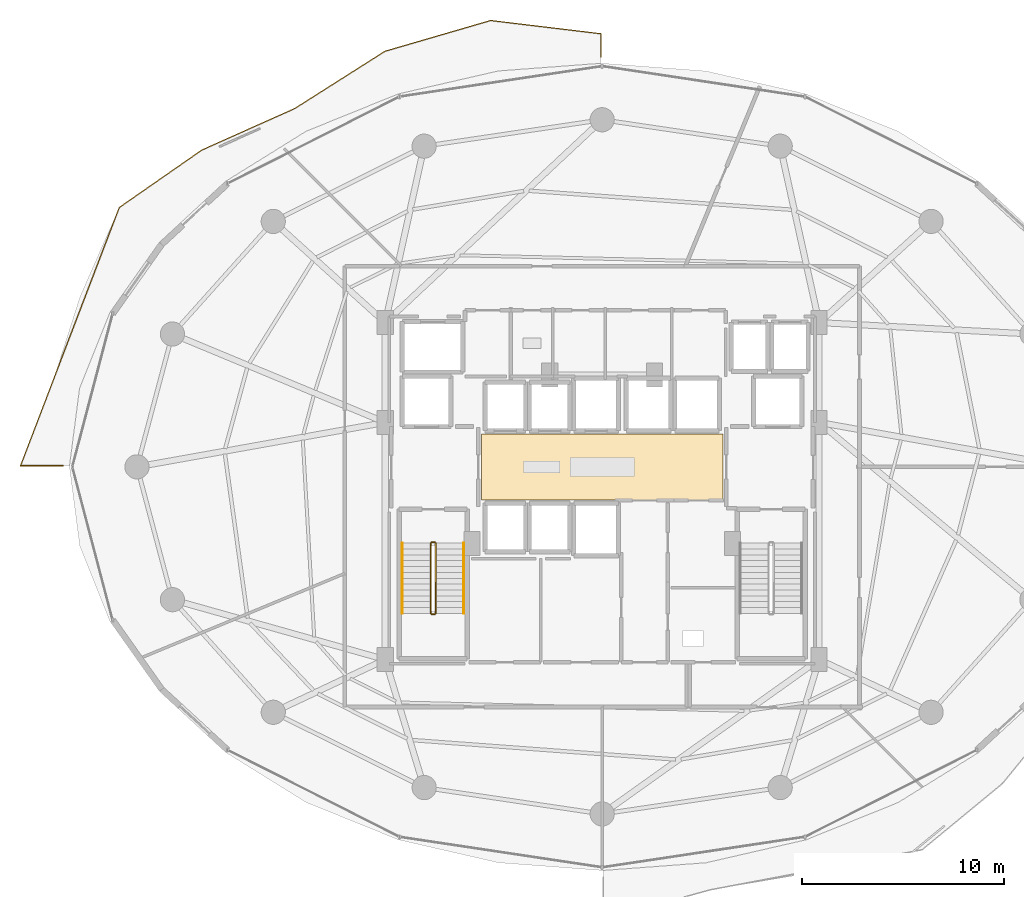
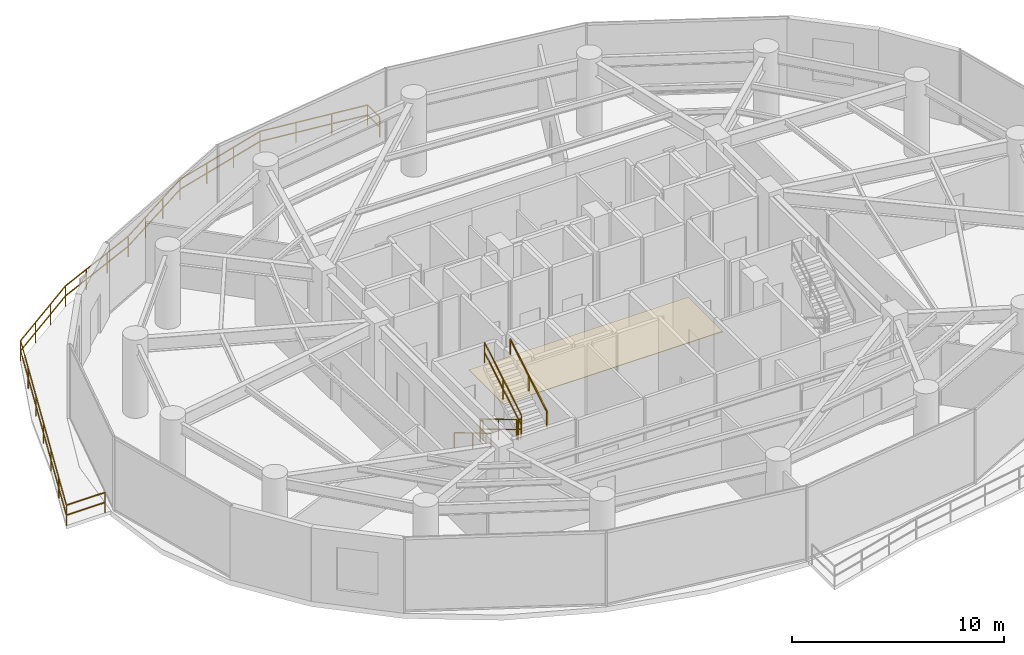
# One storey, part 24 of 27: 8 railings, 1 covering.
"""IFC4 building model written with IfcOpenShell, lengths in metres."""

from ifc_helpers import new_model, si_unit, direction, frame, origin, origin_2d, place, context, subcontext, project, spatial, polyline, rectangle, outline, extrude, material, layer, layer_set, type_object, element, save


model = new_model("IFC4")

# Units and contexts
model_context = context("Model", 3, precision=1e-05, world=origin(), true_north=direction((0.0, 1.0)))
body_context = subcontext(model_context, "Body", "Model", "MODEL_VIEW")
ifc_project = project(units=[si_unit("LENGTHUNIT", "METRE"), si_unit("AREAUNIT", "SQUARE_METRE"), si_unit("VOLUMEUNIT", "CUBIC_METRE"), si_unit("PLANEANGLEUNIT", "RADIAN"), si_unit("MASSUNIT", "GRAM", prefix="KILO")], contexts=[model_context])

# Site, building, storey
site_placement = place(None, origin())
site = spatial("IfcSite", under=ifc_project, at=site_placement, CompositionType="ELEMENT")
building_placement = place(site_placement, origin())
building = spatial("IfcBuilding", under=site, at=building_placement, Name="Vorneva Point Tower", CompositionType="ELEMENT")
storey_placement = place(building_placement, frame((0.0, 0.0, 74.300048828125)))
storey = spatial("IfcBuildingStorey", under=building, at=storey_placement, Name="L19", CompositionType="ELEMENT", Elevation=74.300048828125)

# Covering
ifc_material_1 = material(Name="Polished Ural granite terrazzo", Category="masonry")
ifc_layer = layer(ifc_material_1, 0.02490234375)
ifc_layer_set = layer_set([ifc_layer], Name="Polished Ural granite terrazzo")
covering_type = type_object("IfcCoveringType", Name="COV-FLR-TRZ", PredefinedType="FLOORING", material=ifc_layer_set)
covering_placement = place(storey_placement, frame((0.0, 0.0, -0.005126953125)))
element("IfcCovering", 1, at=covering_placement, inside=storey, type_object=covering_type, Name="L19 Lift Lobby Floor Finish", PredefinedType="FLOORING", context=body_context, shape_type="SweptSolid", body=[
    extrude(outline(polyline([(32.02001953125, 24.3701171875), (43.97998046875, 24.3701171875), (43.97998046875, 27.6298828125), (32.02001953125, 27.6298828125), (32.02001953125, 24.3701171875)])), origin(), (0.0, 0.0, 1.0), 0.030029296875),
])

# Railings
ifc_material_2 = material(Name="Pale anodised aluminium", Category="aluminium")
railing_type_1 = type_object("IfcRailingType", Name="RL-BAL-1200", PredefinedType="BALUSTRADE", material=ifc_material_2)
railing_1_placement = place(storey_placement, frame((9.17431640625, 26.050048828125, 0.0)))
element("IfcRailing", 2, at=railing_1_placement, inside=storey, type_object=railing_type_1, Name="L19 Wave Balcony Balustrade NW.1", PredefinedType="BALUSTRADE", context=body_context, shape_type="SweptSolid", body=[
    extrude(rectangle(XDim=0.048095703125, YDim=0.048095703125, at=origin_2d()), frame((0.0, 0.0, 1.17578125), z_axis=(1.0, 0.0, 0.0), x_axis=(0.0, 1.0, 0.0)), (0.0, 0.0, 1.0), 2.109375),
    extrude(rectangle(XDim=0.048095703125, YDim=0.048095703125, at=origin_2d()), frame((0.0, 0.0, 0.60009765625), z_axis=(1.0, 0.0, 0.0), x_axis=(0.0, 1.0, 0.0)), (0.0, 0.0, 1.0), 2.109375),
    extrude(rectangle(XDim=0.0419921875, YDim=0.0419921875, at=origin_2d()), origin(), (0.0, 0.0, 1.0), 1.15185546875),
    extrude(rectangle(XDim=0.0419921875, YDim=0.0419921875, at=origin_2d()), frame((2.109375, 0.0, 0.0)), (0.0, 0.0, 1.0), 1.15185546875),
])
railing_2_placement = place(storey_placement, frame((37.949951171875, 46.317138671875, 0.0)))
element("IfcRailing", 3, at=railing_2_placement, inside=storey, type_object=railing_type_1, Name="L19 Wave Balcony Balustrade NW.2", PredefinedType="BALUSTRADE", context=body_context, shape_type="SweptSolid", body=[
    extrude(rectangle(XDim=0.048095703125, YDim=0.048095703125, at=origin_2d()), frame((0.0, 0.0, 1.17578125), z_axis=(0.0, 1.0, 0.0), x_axis=(-1.0, 0.0, 0.0)), (0.0, 0.0, 1.0), 1.143798828125),
    extrude(rectangle(XDim=0.048095703125, YDim=0.048095703125, at=origin_2d()), frame((0.0, 0.0, 0.60009765625), z_axis=(0.0, 1.0, 0.0), x_axis=(-1.0, 0.0, 0.0)), (0.0, 0.0, 1.0), 1.143798828125),
    extrude(rectangle(XDim=0.048095703125, YDim=0.048095703125, at=origin_2d()), frame((0.0, 1.143798828125, 1.17578125), z_axis=(-0.992852318004, 0.119349380534, 0.0), x_axis=(-0.119349380534, -0.992852318004, 0.0)), (0.0, 0.0, 1.0), 5.51708984375),
    extrude(rectangle(XDim=0.048095703125, YDim=0.048095703125, at=origin_2d()), frame((0.0, 1.143798828125, 0.60009765625), z_axis=(-0.992852318004, 0.119349380534, 0.0), x_axis=(-0.119349380534, -0.992852318004, 0.0)), (0.0, 0.0, 1.0), 5.51708984375),
    extrude(rectangle(XDim=0.048095703125, YDim=0.048095703125, at=origin_2d()), frame((-5.4775390625, 1.80224609375, 1.17578125), z_axis=(-0.960122174174, -0.279580776627, 0.0), x_axis=(0.279580776627, -0.960122174174, 0.0)), (0.0, 0.0, 1.0), 5.456787109375),
    extrude(rectangle(XDim=0.048095703125, YDim=0.048095703125, at=origin_2d()), frame((-5.4775390625, 1.80224609375, 0.60009765625), z_axis=(-0.960122174174, -0.279580776627, 0.0), x_axis=(0.279580776627, -0.960122174174, 0.0)), (0.0, 0.0, 1.0), 5.456787109375),
    extrude(rectangle(XDim=0.048095703125, YDim=0.048095703125, at=origin_2d()), frame((-10.716796875, 0.276611328125, 1.17578125), z_axis=(-0.844344261875, -0.535801052107, 0.0), x_axis=(0.535801052107, -0.844344261875, 0.0)), (0.0, 0.0, 1.0), 5.295166015625),
    extrude(rectangle(XDim=0.048095703125, YDim=0.048095703125, at=origin_2d()), frame((-10.716796875, 0.276611328125, 0.60009765625), z_axis=(-0.844344261875, -0.535801052107, 0.0), x_axis=(0.535801052107, -0.844344261875, 0.0)), (0.0, 0.0, 1.0), 5.295166015625),
    extrude(rectangle(XDim=0.048095703125, YDim=0.048095703125, at=origin_2d()), frame((-15.187744140625, -2.560546875, 1.17578125), z_axis=(-0.912903646088, -0.408175125355, 0.0), x_axis=(0.408175125355, -0.912903646088, 0.0)), (0.0, 0.0, 1.0), 5.046875),
    extrude(rectangle(XDim=0.048095703125, YDim=0.048095703125, at=origin_2d()), frame((-15.187744140625, -2.560546875, 0.60009765625), z_axis=(-0.912903646088, -0.408175125355, 0.0), x_axis=(0.408175125355, -0.912903646088, 0.0)), (0.0, 0.0, 1.0), 5.046875),
    extrude(rectangle(XDim=0.048095703125, YDim=0.048095703125, at=origin_2d()), frame((-19.795166015625, -4.62060546875, 1.17578125), z_axis=(-0.820822157704, -0.571183845554, 0.0), x_axis=(0.571183845554, -0.820822157704, 0.0)), (0.0, 0.0, 1.0), 4.973876953125),
    extrude(rectangle(XDim=0.048095703125, YDim=0.048095703125, at=origin_2d()), frame((-19.795166015625, -4.62060546875, 0.60009765625), z_axis=(-0.820822157704, -0.571183845554, 0.0), x_axis=(0.571183845554, -0.820822157704, 0.0)), (0.0, 0.0, 1.0), 4.973876953125),
    extrude(rectangle(XDim=0.048095703125, YDim=0.048095703125, at=origin_2d()), frame((-23.8779296875, -7.461669921875, 1.17578125), z_axis=(-0.357233879575, -0.934014965235, 0.0), x_axis=(0.934014965235, -0.357233879575, 0.0)), (0.0, 0.0, 1.0), 13.7099609375),
    extrude(rectangle(XDim=0.048095703125, YDim=0.048095703125, at=origin_2d()), frame((-23.8779296875, -7.461669921875, 0.60009765625), z_axis=(-0.357233879575, -0.934014965235, 0.0), x_axis=(0.934014965235, -0.357233879575, 0.0)), (0.0, 0.0, 1.0), 13.7099609375),
    extrude(rectangle(XDim=0.0419921875, YDim=0.0419921875, at=origin_2d()), origin(), (0.0, 0.0, 1.0), 1.15185546875),
    extrude(rectangle(XDim=0.0419921875, YDim=0.0419921875, at=origin_2d()), frame((0.0, 1.143798828125, 0.0)), (0.0, 0.0, 1.0), 1.15185546875),
    extrude(rectangle(XDim=0.0419921875, YDim=0.0419921875, at=origin_2d()), frame((-1.825927734375, 1.36328125, 0.0)), (0.0, 0.0, 1.0), 1.15185546875),
    extrude(rectangle(XDim=0.0419921875, YDim=0.0419921875, at=origin_2d()), frame((-3.651611328125, 1.582763671875, 0.0)), (0.0, 0.0, 1.0), 1.15185546875),
    extrude(rectangle(XDim=0.0419921875, YDim=0.0419921875, at=origin_2d()), frame((-5.4775390625, 1.80224609375, 0.0)), (0.0, 0.0, 1.0), 1.15185546875),
    extrude(rectangle(XDim=0.0419921875, YDim=0.0419921875, at=origin_2d()), frame((-7.223876953125, 1.293701171875, 0.0)), (0.0, 0.0, 1.0), 1.15185546875),
    extrude(rectangle(XDim=0.0419921875, YDim=0.0419921875, at=origin_2d()), frame((-8.970458984375, 0.78515625, 0.0)), (0.0, 0.0, 1.0), 1.15185546875),
    extrude(rectangle(XDim=0.0419921875, YDim=0.0419921875, at=origin_2d()), frame((-10.716796875, 0.276611328125, 0.0)), (0.0, 0.0, 1.0), 1.15185546875),
    extrude(rectangle(XDim=0.0419921875, YDim=0.0419921875, at=origin_2d()), frame((-12.20703125, -0.669189453125, 0.0)), (0.0, 0.0, 1.0), 1.15185546875),
    extrude(rectangle(XDim=0.0419921875, YDim=0.0419921875, at=origin_2d()), frame((-13.697509765625, -1.61474609375, 0.0)), (0.0, 0.0, 1.0), 1.15185546875),
    extrude(rectangle(XDim=0.0419921875, YDim=0.0419921875, at=origin_2d()), frame((-15.187744140625, -2.560546875, 0.0)), (0.0, 0.0, 1.0), 1.15185546875),
    extrude(rectangle(XDim=0.0419921875, YDim=0.0419921875, at=origin_2d()), frame((-16.7236328125, -3.247314453125, 0.0)), (0.0, 0.0, 1.0), 1.15185546875),
    extrude(rectangle(XDim=0.0419921875, YDim=0.0419921875, at=origin_2d()), frame((-18.25927734375, -3.933837890625, 0.0)), (0.0, 0.0, 1.0), 1.15185546875),
    extrude(rectangle(XDim=0.0419921875, YDim=0.0419921875, at=origin_2d()), frame((-19.795166015625, -4.62060546875, 0.0)), (0.0, 0.0, 1.0), 1.15185546875),
    extrude(rectangle(XDim=0.0419921875, YDim=0.0419921875, at=origin_2d()), frame((-21.156005859375, -5.567626953125, 0.0)), (0.0, 0.0, 1.0), 1.15185546875),
    extrude(rectangle(XDim=0.0419921875, YDim=0.0419921875, at=origin_2d()), frame((-22.51708984375, -6.5146484375, 0.0)), (0.0, 0.0, 1.0), 1.15185546875),
    extrude(rectangle(XDim=0.0419921875, YDim=0.0419921875, at=origin_2d()), frame((-23.8779296875, -7.461669921875, 0.0)), (0.0, 0.0, 1.0), 1.15185546875),
    extrude(rectangle(XDim=0.0419921875, YDim=0.0419921875, at=origin_2d()), frame((-24.6943359375, -9.595947265625, 0.0)), (0.0, 0.0, 1.0), 1.15185546875),
    extrude(rectangle(XDim=0.0419921875, YDim=0.0419921875, at=origin_2d()), frame((-25.510498046875, -11.730224609375, 0.0)), (0.0, 0.0, 1.0), 1.15185546875),
    extrude(rectangle(XDim=0.0419921875, YDim=0.0419921875, at=origin_2d()), frame((-26.32666015625, -13.8642578125, 0.0)), (0.0, 0.0, 1.0), 1.15185546875),
    extrude(rectangle(XDim=0.0419921875, YDim=0.0419921875, at=origin_2d()), frame((-27.14306640625, -15.99853515625, 0.0)), (0.0, 0.0, 1.0), 1.15185546875),
    extrude(rectangle(XDim=0.0419921875, YDim=0.0419921875, at=origin_2d()), frame((-27.95947265625, -18.1328125, 0.0)), (0.0, 0.0, 1.0), 1.15185546875),
    extrude(rectangle(XDim=0.0419921875, YDim=0.0419921875, at=origin_2d()), frame((-28.775634765625, -20.26708984375, 0.0)), (0.0, 0.0, 1.0), 1.15185546875),
])
ifc_material_3 = material(Name="Brushed stainless steel S304", Category="steel")
railing_type_2 = type_object("IfcRailingType", Name="RL-HND-920", PredefinedType="HANDRAIL", material=ifc_material_3)
railing_3_placement = place(storey_placement, frame((28.10009765625, 22.219970703125, 0.173095703125)))
element("IfcRailing", 4, at=railing_3_placement, inside=storey, type_object=railing_type_2, Name="L19 ST1 stair handrail 1", PredefinedType="HANDRAIL", context=body_context, shape_type="SweptSolid", body=[
    extrude(rectangle(XDim=0.048095703125, YDim=0.048095703125, at=origin_2d()), frame((0.0, 0.0, 0.8759765625), z_axis=(0.0, -0.858697190188, 0.512483302717), x_axis=(1.0, 0.0, 0.0)), (0.0, 0.0, 1.0), 4.052734375),
    extrude(rectangle(XDim=0.0419921875, YDim=0.0419921875, at=origin_2d()), origin(), (0.0, 0.0, 1.0), 0.851806640625),
    extrude(rectangle(XDim=0.0419921875, YDim=0.0419921875, at=origin_2d()), frame((0.0, -1.739990234375, 1.03857421875)), (0.0, 0.0, 1.0), 0.851806640625),
    extrude(rectangle(XDim=0.0419921875, YDim=0.0419921875, at=origin_2d()), frame((0.0, -3.47998046875, 2.076904296875)), (0.0, 0.0, 1.0), 0.851806640625),
])
railing_4_placement = place(storey_placement, frame((31.14990234375, 18.739990234375, 2.423095703125)))
element("IfcRailing", 5, at=railing_4_placement, inside=storey, type_object=railing_type_2, Name="L19 ST1 stair handrail 2", PredefinedType="HANDRAIL", context=body_context, shape_type="SweptSolid", body=[
    extrude(rectangle(XDim=0.048095703125, YDim=0.048095703125, at=origin_2d()), frame((0.0, 0.0, 0.8759765625), z_axis=(0.0, 0.858697190188, 0.512483302717), x_axis=(-1.0, 0.0, 0.0)), (0.0, 0.0, 1.0), 4.052734375),
    extrude(rectangle(XDim=0.0419921875, YDim=0.0419921875, at=origin_2d()), origin(), (0.0, 0.0, 1.0), 0.851806640625),
    extrude(rectangle(XDim=0.0419921875, YDim=0.0419921875, at=origin_2d()), frame((0.0, 1.739990234375, 1.03857421875)), (0.0, 0.0, 1.0), 0.851806640625),
    extrude(rectangle(XDim=0.0419921875, YDim=0.0419921875, at=origin_2d()), frame((0.0, 3.47998046875, 2.076904296875)), (0.0, 0.0, 1.0), 0.851806640625),
])
railing_type_3 = type_object("IfcRailingType", Name="RL-STG-1100", PredefinedType="GUARDRAIL", material=ifc_material_3)
railing_5_placement = place(storey_placement, frame((29.5, 22.219970703125, 0.173095703125)))
element("IfcRailing", 6, at=railing_5_placement, inside=storey, type_object=railing_type_3, Name="L19 ST1 stair guard 1", PredefinedType="GUARDRAIL", context=body_context, shape_type="SweptSolid", body=[
    extrude(rectangle(XDim=0.048095703125, YDim=0.048095703125, at=origin_2d()), frame((0.0, 0.0, 1.17578125), z_axis=(0.0, -0.858697190188, 0.512483302717), x_axis=(1.0, 0.0, 0.0)), (0.0, 0.0, 1.0), 4.052734375),
    extrude(rectangle(XDim=0.048095703125, YDim=0.048095703125, at=origin_2d()), frame((0.0, 0.0, 0.60009765625), z_axis=(0.0, -0.858697190188, 0.512483302717), x_axis=(1.0, 0.0, 0.0)), (0.0, 0.0, 1.0), 4.052734375),
    extrude(rectangle(XDim=0.0419921875, YDim=0.0419921875, at=origin_2d()), origin(), (0.0, 0.0, 1.0), 1.15185546875),
    extrude(rectangle(XDim=0.0419921875, YDim=0.0419921875, at=origin_2d()), frame((0.0, -1.739990234375, 1.03857421875)), (0.0, 0.0, 1.0), 1.15185546875),
    extrude(rectangle(XDim=0.0419921875, YDim=0.0419921875, at=origin_2d()), frame((0.0, -3.47998046875, 2.076904296875)), (0.0, 0.0, 1.0), 1.15185546875),
])
railing_6_placement = place(storey_placement, frame((29.550048828125, 18.68994140625, 2.25)))
element("IfcRailing", 7, at=railing_6_placement, inside=storey, type_object=railing_type_3, Name="L19 ST1 stair guard 2", PredefinedType="GUARDRAIL", context=body_context, shape_type="SweptSolid", body=[
    extrude(rectangle(XDim=0.048095703125, YDim=0.048095703125, at=origin_2d()), frame((0.0, 0.0, 1.17578125), z_axis=(1.0, 0.0, 0.0), x_axis=(0.0, 1.0, 0.0)), (0.0, 0.0, 1.0), 0.14990234375),
    extrude(rectangle(XDim=0.048095703125, YDim=0.048095703125, at=origin_2d()), frame((0.0, 0.0, 0.60009765625), z_axis=(1.0, 0.0, 0.0), x_axis=(0.0, 1.0, 0.0)), (0.0, 0.0, 1.0), 0.14990234375),
    extrude(rectangle(XDim=0.0419921875, YDim=0.0419921875, at=origin_2d()), origin(), (0.0, 0.0, 1.0), 1.15185546875),
    extrude(rectangle(XDim=0.0419921875, YDim=0.0419921875, at=origin_2d()), frame((0.14990234375, 0.0, 0.0)), (0.0, 0.0, 1.0), 1.15185546875),
])
railing_7_placement = place(storey_placement, frame((29.75, 18.739990234375, 2.423095703125)))
element("IfcRailing", 8, at=railing_7_placement, inside=storey, type_object=railing_type_3, Name="L19 ST1 stair guard 3", PredefinedType="GUARDRAIL", context=body_context, shape_type="SweptSolid", body=[
    extrude(rectangle(XDim=0.048095703125, YDim=0.048095703125, at=origin_2d()), frame((0.0, 0.0, 1.17578125), z_axis=(0.0, 0.858697190188, 0.512483302717), x_axis=(-1.0, 0.0, 0.0)), (0.0, 0.0, 1.0), 4.052734375),
    extrude(rectangle(XDim=0.048095703125, YDim=0.048095703125, at=origin_2d()), frame((0.0, 0.0, 0.60009765625), z_axis=(0.0, 0.858697190188, 0.512483302717), x_axis=(-1.0, 0.0, 0.0)), (0.0, 0.0, 1.0), 4.052734375),
    extrude(rectangle(XDim=0.0419921875, YDim=0.0419921875, at=origin_2d()), origin(), (0.0, 0.0, 1.0), 1.15185546875),
    extrude(rectangle(XDim=0.0419921875, YDim=0.0419921875, at=origin_2d()), frame((0.0, 1.739990234375, 1.03857421875)), (0.0, 0.0, 1.0), 1.15185546875),
    extrude(rectangle(XDim=0.0419921875, YDim=0.0419921875, at=origin_2d()), frame((0.0, 3.47998046875, 2.076904296875)), (0.0, 0.0, 1.0), 1.15185546875),
])
railing_8_placement = place(storey_placement, frame((29.550048828125, 22.27001953125, 0.0)))
element("IfcRailing", 9, at=railing_8_placement, inside=storey, type_object=railing_type_3, Name="L19 ST1 stair guard 4", PredefinedType="GUARDRAIL", context=body_context, shape_type="SweptSolid", body=[
    extrude(rectangle(XDim=0.048095703125, YDim=0.048095703125, at=origin_2d()), frame((0.0, 0.0, 1.17578125), z_axis=(1.0, 0.0, 0.0), x_axis=(0.0, 1.0, 0.0)), (0.0, 0.0, 1.0), 0.14990234375),
    extrude(rectangle(XDim=0.048095703125, YDim=0.048095703125, at=origin_2d()), frame((0.0, 0.0, 0.60009765625), z_axis=(1.0, 0.0, 0.0), x_axis=(0.0, 1.0, 0.0)), (0.0, 0.0, 1.0), 0.14990234375),
    extrude(rectangle(XDim=0.0419921875, YDim=0.0419921875, at=origin_2d()), origin(), (0.0, 0.0, 1.0), 1.15185546875),
    extrude(rectangle(XDim=0.0419921875, YDim=0.0419921875, at=origin_2d()), frame((0.14990234375, 0.0, 0.0)), (0.0, 0.0, 1.0), 1.15185546875),
])

save(model, "model.ifc")
